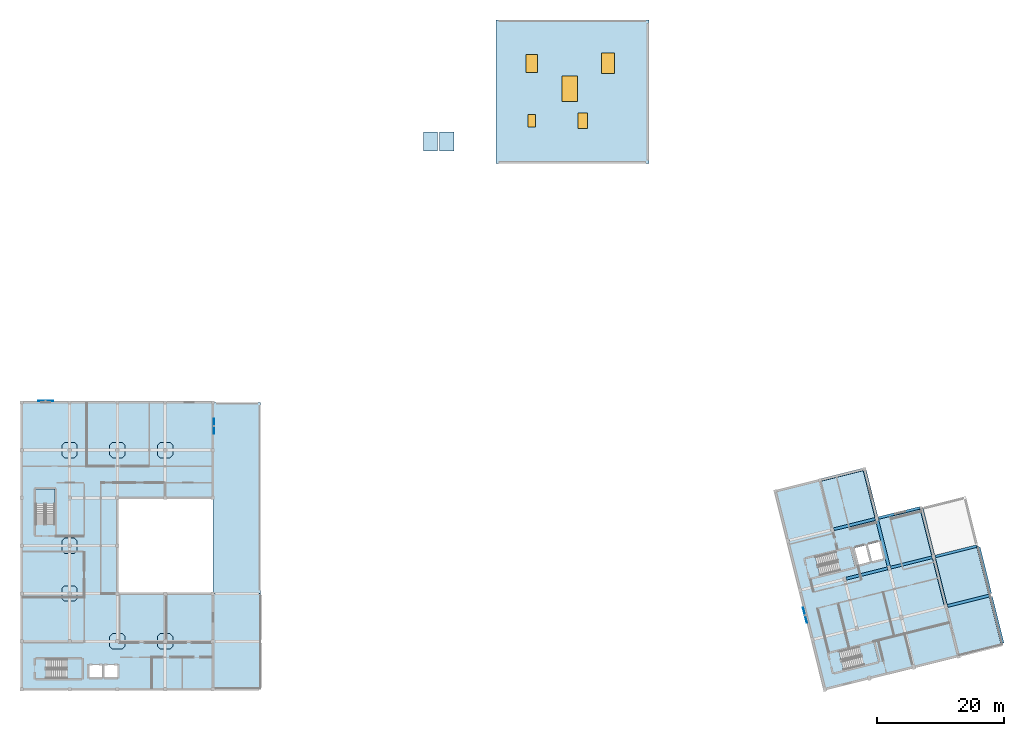
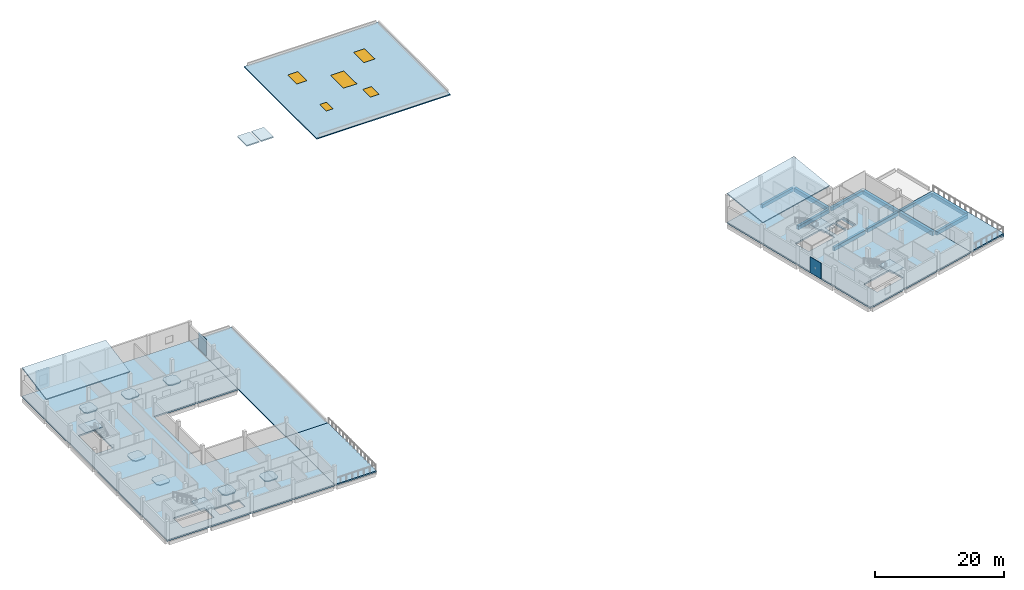
# One storey, part 2 of 14: 21 slabs, 13 beams, 5 windows, 3 plates, 5 openings, 4 elements without a shape of their own.
"""IFC4 building model written with IfcOpenShell, lengths in metres."""

from ifc_helpers import new_model, si_unit, direction, frame, origin, origin_2d, place, context, subcontext, project, spatial, polyline, rectangle, outline, extrude, material, layer, layer_set, material_profile, profile_set, type_object, element, fill, aggregate, save


model = new_model("IFC4")

# Units and contexts
model_context = context("Model", 3, precision=1e-05, world=origin(), true_north=direction((0.0, 1.0)))
body_context = subcontext(model_context, "Body", "Model", "MODEL_VIEW")
ifc_project = project(units=[si_unit("LENGTHUNIT", "METRE"), si_unit("AREAUNIT", "SQUARE_METRE"), si_unit("VOLUMEUNIT", "CUBIC_METRE"), si_unit("PLANEANGLEUNIT", "RADIAN"), si_unit("MASSUNIT", "GRAM", prefix="KILO")], contexts=[model_context])

# Site, building, storey
site_placement = place(None, origin())
site = spatial("IfcSite", under=ifc_project, at=site_placement, CompositionType="ELEMENT")
building_placement = place(site_placement, origin())
building = spatial("IfcBuilding", under=site, at=building_placement, Name="Mawjan Specialist Oncology Clinic", CompositionType="ELEMENT")
storey_placement = place(building_placement, frame((0.0, 0.0, 17.5)))
storey = spatial("IfcBuildingStorey", under=building, at=storey_placement, Name="L04", CompositionType="ELEMENT", Elevation=17.5)

# Beams
ifc_material_1 = material(Name="Concrete C40/50", Category="concrete")
ifc_material_profile_1 = material_profile(ifc_material_1, rectangle(XDim=0.449951171875, YDim=0.699951171875, at=origin_2d()), Name="RC BM 450x700", Category="concrete")
ifc_profile_set_1 = profile_set([ifc_material_profile_1], Name="Concrete C40/50")
beam_type_1 = type_object("IfcBeamType", Name="BM-450x700", PredefinedType="BEAM", material=ifc_profile_set_1)
beam_1_placement = place(storey_placement, frame((145.275390625, 13.850830078125, -0.6298828125), z_axis=(0.970294386812, 0.241927267834, 0.0), x_axis=(-0.241927267834, 0.970294386812, 0.0)))
element("IfcBeam", 1, at=beam_1_placement, inside=storey, type_object=beam_type_1, Name="L04 Collector Beam BM-L04-1135", PredefinedType="BEAM", context=body_context, shape_type="SweptSolid", body=[
    extrude(rectangle(XDim=0.449951171875, YDim=0.699951171875, at=origin_2d()), origin(), (0.0, 0.0, 1.0), 6.704833984375),
])
beam_2_placement = place(storey_placement, frame((129.36767578125, 18.12939453125, -0.6298828125), z_axis=(0.970288517742, 0.241950805615, 0.0), x_axis=(-0.241950805615, 0.970288517742, 0.0)))
element("IfcBeam", 2, at=beam_2_placement, inside=storey, type_object=beam_type_1, Name="L04 Collector Beam BM-L04-1137", PredefinedType="BEAM", context=body_context, shape_type="SweptSolid", body=[
    extrude(rectangle(XDim=0.449951171875, YDim=0.699951171875, at=origin_2d()), origin(), (0.0, 0.0, 1.0), 6.679931640625),
])
beam_3_placement = place(storey_placement, frame((136.353759765625, 19.871337890625, -0.6298828125), z_axis=(0.970299236251, 0.241907817422, 0.0), x_axis=(-0.241907817422, 0.970299236251, 0.0)))
element("IfcBeam", 3, at=beam_3_placement, inside=storey, type_object=beam_type_1, Name="L04 Collector Beam BM-L04-1138", PredefinedType="BEAM", context=body_context, shape_type="SweptSolid", body=[
    extrude(rectangle(XDim=0.449951171875, YDim=0.699951171875, at=origin_2d()), origin(), (0.0, 0.0, 1.0), 6.68017578125),
])
beam_4_placement = place(storey_placement, frame((127.432373046875, 25.891845703125, -0.6298828125), z_axis=(0.970297097401, 0.241916396252, 0.0), x_axis=(-0.241916396252, 0.970297097401, 0.0)))
element("IfcBeam", 4, at=beam_4_placement, inside=storey, type_object=beam_type_1, Name="L04 Collector Beam BM-L04-1141", PredefinedType="BEAM", context=body_context, shape_type="SweptSolid", body=[
    extrude(rectangle(XDim=0.449951171875, YDim=0.699951171875, at=origin_2d()), origin(), (0.0, 0.0, 1.0), 6.679931640625),
])
ifc_material_2 = material(Name="Concrete C45/55", Category="concrete")
ifc_material_profile_2 = material_profile(ifc_material_2, rectangle(XDim=0.5, YDim=0.800048828125, at=origin_2d()), Name="RC BM 500x800", Category="concrete")
ifc_profile_set_2 = profile_set([ifc_material_profile_2], Name="Concrete C45/55")
beam_type_2 = type_object("IfcBeamType", Name="BM-500x800", PredefinedType="BEAM", material=ifc_profile_set_2)
beam_5_placement = place(storey_placement, frame((144.960205078125, 14.0400390625, -0.679931640625), z_axis=(-0.241921192876, 0.970295901485, 0.0), x_axis=(-0.970295901485, -0.241921192876, 0.0)))
element("IfcBeam", 5, at=beam_5_placement, inside=storey, type_object=beam_type_2, Name="L04 Collector Beam BM-L04-1156", PredefinedType="BEAM", context=body_context, shape_type="SweptSolid", body=[
    extrude(rectangle(XDim=0.5, YDim=0.800048828125, at=origin_2d()), origin(), (0.0, 0.0, 1.0), 7.47998046875),
])
ifc_material_3 = material(Name="Concrete C45/55", Category="concrete")
ifc_material_profile_3 = material_profile(ifc_material_3, rectangle(XDim=0.39990234375, YDim=0.64990234375, at=origin_2d()), Name="RC BM 400x650", Category="concrete")
ifc_profile_set_3 = profile_set([ifc_material_profile_3], Name="Concrete C45/55")
beam_type_3 = type_object("IfcBeamType", Name="SP-400x650", PredefinedType="SPANDREL", material=ifc_profile_set_3)
for number, where, z_axis, x_axis, name in (
    (6, (143.33984375, 21.613037109375, -0.60498046875), (0.97028797037, 0.241953000717, 0.0), (-0.241953000717, 0.97028797037, 0.0), "L04 Spandrel Beam BM-L04-1139"),
    (7, (134.41845703125, 27.6337890625, -0.60498046875), (0.970296517902, 0.24191872054, 0.0), (-0.24191872054, 0.970296517902, 0.0), "L04 Spandrel Beam BM-L04-1142"),
):
    element("IfcBeam", number, at=place(storey_placement, frame(where, z_axis=z_axis, x_axis=x_axis)), inside=storey, type_object=beam_type_3, Name=name, PredefinedType="SPANDREL", context=body_context, shape_type="SweptSolid", body=[
        extrude(rectangle(XDim=0.39990234375, YDim=0.64990234375, at=origin_2d()), origin(), (0.0, 0.0, 1.0), 6.705078125),
    ])
beam_6_placement = place(storey_placement, frame((125.47265625, 33.648193359375, -0.60498046875), z_axis=(0.970293819569, 0.241929542854, 0.0), x_axis=(-0.241929542854, 0.970293819569, 0.0)))
element("IfcBeam", 8, at=beam_6_placement, inside=storey, type_object=beam_type_3, Name="L04 Spandrel Beam BM-L04-1144", PredefinedType="SPANDREL", context=body_context, shape_type="SweptSolid", body=[
    extrude(rectangle(XDim=0.39990234375, YDim=0.64990234375, at=origin_2d()), origin(), (0.0, 0.0, 1.0), 6.72998046875),
])
ifc_material_4 = material(Name="Concrete C45/55", Category="concrete")
ifc_material_profile_4 = material_profile(ifc_material_4, rectangle(XDim=0.5, YDim=0.699951171875, at=origin_2d()), Name="RC BM 500x700", Category="concrete")
ifc_profile_set_4 = profile_set([ifc_material_profile_4], Name="Concrete C45/55")
beam_type_4 = type_object("IfcBeamType", Name="SP-500x700", PredefinedType="SPANDREL", material=ifc_profile_set_4)
beam_7_placement = place(storey_placement, frame((136.03857421875, 20.060791015625, -0.6298828125), z_axis=(-0.241921192876, 0.970295901485, 0.0), x_axis=(-0.970295901485, -0.241921192876, 0.0)))
element("IfcBeam", 9, at=beam_7_placement, inside=storey, type_object=beam_type_4, Name="L04 Spandrel Beam BM-L04-1153", PredefinedType="SPANDREL", context=body_context, shape_type="SweptSolid", body=[
    extrude(rectangle(XDim=0.5, YDim=0.699951171875, at=origin_2d()), origin(), (0.0, 0.0, 1.0), 7.47998046875),
])
beam_8_placement = place(storey_placement, frame((134.103271484375, 27.822998046875, -0.6298828125), z_axis=(-0.24192325328, 0.970295387767, 0.0), x_axis=(-0.970295387767, -0.24192325328, 0.0)))
element("IfcBeam", 10, at=beam_8_placement, inside=storey, type_object=beam_type_4, Name="L04 Spandrel Beam BM-L04-1154", PredefinedType="SPANDREL", context=body_context, shape_type="SweptSolid", body=[
    extrude(rectangle(XDim=0.5, YDim=0.699951171875, at=origin_2d()), origin(), (0.0, 0.0, 1.0), 7.505126953125),
])
beam_9_placement = place(storey_placement, frame((143.024658203125, 21.802490234375, -0.6298828125), z_axis=(-0.241900262403, 0.970301119782, 0.0), x_axis=(-0.970301119782, -0.241900262403, 0.0)))
element("IfcBeam", 11, at=beam_9_placement, inside=storey, type_object=beam_type_4, Name="L04 Spandrel Beam BM-L04-1157", PredefinedType="SPANDREL", context=body_context, shape_type="SweptSolid", body=[
    extrude(rectangle(XDim=0.5, YDim=0.699951171875, at=origin_2d()), origin(), (0.0, 0.0, 1.0), 7.5048828125),
])
beam_10_placement = place(storey_placement, frame((153.8876953125, 7.995361328125, -0.60009765625), z_axis=(-0.241932910606, 0.97029297986, 0.0), x_axis=(-0.97029297986, -0.241932910606, 0.0)))
element("IfcBeam", 12, at=beam_10_placement, inside=storey, type_object=beam_type_4, Name="L04 Spandrel Beam BM-L04-1158", PredefinedType="SPANDREL", context=body_context, shape_type="SweptSolid", body=[
    extrude(rectangle(XDim=0.5, YDim=0.699951171875, at=origin_2d()), origin(), (0.0, 0.0, 1.0), 7.530029296875),
])
beam_11_placement = place(storey_placement, frame((151.952392578125, 15.7578125, -0.60009765625), z_axis=(-0.241940521765, 0.970291082061, 0.0), x_axis=(-0.970291082061, -0.241940521765, 0.0)))
element("IfcBeam", 13, at=beam_11_placement, inside=storey, type_object=beam_type_4, Name="L04 Spandrel Beam BM-L04-1159", PredefinedType="SPANDREL", context=body_context, shape_type="SweptSolid", body=[
    extrude(rectangle(XDim=0.5, YDim=0.699951171875, at=origin_2d()), origin(), (0.0, 0.0, 1.0), 7.52978515625),
])

# Slabs
ifc_material_5 = material(Name="Concrete C35/45", Category="concrete")
ifc_layer_1 = layer(ifc_material_5, 0.199951171875, Name="Concrete C35/45", Category="concrete")
ifc_layer_set_1 = layer_set([ifc_layer_1], Name="Concrete C35/45")
slab_type_1 = type_object("IfcSlabType", Name="DP-200", PredefinedType="FLOOR", material=ifc_layer_set_1)
slab_1_placement = place(storey_placement, frame((0.0, 0.0, -0.47998046875)))
element("IfcSlab", 14, at=slab_1_placement, inside=storey, type_object=slab_type_1, Name="L04 Octagonal Column Drop Panel DP-L04-004", PredefinedType="FLOOR", context=body_context, shape_type="SweptSolid", body=[
    extrude(outline(polyline([(6.719970703125, 14.60009765625), (8.280029296875, 14.60009765625), (8.699951171875, 15.02001953125), (8.699951171875, 16.580078125), (8.280029296875, 17.0), (6.719970703125, 17.0), (6.300048828125, 16.580078125), (6.300048828125, 15.02001953125), (6.719970703125, 14.60009765625)])), origin(), (0.0, 0.0, 1.0), 0.199951171875),
])
slab_2_placement = place(storey_placement, frame((0.0, 0.0, -0.47998046875)))
element("IfcSlab", 15, at=slab_2_placement, inside=storey, type_object=slab_type_1, Name="L04 Octagonal Column Drop Panel DP-L04-009", PredefinedType="FLOOR", context=body_context, shape_type="SweptSolid", body=[
    extrude(outline(polyline([(6.719970703125, 22.10009765625), (8.280029296875, 22.10009765625), (8.699951171875, 22.52001953125), (8.699951171875, 24.080078125), (8.280029296875, 24.5), (6.719970703125, 24.5), (6.300048828125, 24.080078125), (6.300048828125, 22.52001953125), (6.719970703125, 22.10009765625)])), origin(), (0.0, 0.0, 1.0), 0.199951171875),
])
slab_3_placement = place(storey_placement, frame((0.0, 0.0, -0.47998046875)))
element("IfcSlab", 16, at=slab_3_placement, inside=storey, type_object=slab_type_1, Name="L04 Octagonal Column Drop Panel DP-L04-014", PredefinedType="FLOOR", context=body_context, shape_type="SweptSolid", body=[
    extrude(outline(polyline([(6.719970703125, 37.10009765625), (8.280029296875, 37.10009765625), (8.699951171875, 37.52001953125), (8.699951171875, 39.080078125), (8.280029296875, 39.5), (6.719970703125, 39.5), (6.300048828125, 39.080078125), (6.300048828125, 37.52001953125), (6.719970703125, 37.10009765625)])), origin(), (0.0, 0.0, 1.0), 0.199951171875),
])
slab_4_placement = place(storey_placement, frame((0.0, 0.0, -0.47998046875)))
element("IfcSlab", 17, at=slab_4_placement, inside=storey, type_object=slab_type_1, Name="L04 Octagonal Column Drop Panel DP-L04-027", PredefinedType="FLOOR", context=body_context, shape_type="SweptSolid", body=[
    extrude(outline(polyline([(14.219970703125, 7.10009765625), (15.780029296875, 7.10009765625), (16.199951171875, 7.52001953125), (16.199951171875, 9.080078125), (15.780029296875, 9.5), (14.219970703125, 9.5), (13.800048828125, 9.080078125), (13.800048828125, 7.52001953125), (14.219970703125, 7.10009765625)])), origin(), (0.0, 0.0, 1.0), 0.199951171875),
])
slab_5_placement = place(storey_placement, frame((0.0, 0.0, -0.47998046875)))
element("IfcSlab", 18, at=slab_5_placement, inside=storey, type_object=slab_type_1, Name="L04 Octagonal Column Drop Panel DP-L04-032", PredefinedType="FLOOR", context=body_context, shape_type="SweptSolid", body=[
    extrude(outline(polyline([(14.219970703125, 37.10009765625), (15.780029296875, 37.10009765625), (16.199951171875, 37.52001953125), (16.199951171875, 39.080078125), (15.780029296875, 39.5), (14.219970703125, 39.5), (13.800048828125, 39.080078125), (13.800048828125, 37.52001953125), (14.219970703125, 37.10009765625)])), origin(), (0.0, 0.0, 1.0), 0.199951171875),
])
slab_6_placement = place(storey_placement, frame((0.0, 0.0, -0.47998046875)))
element("IfcSlab", 19, at=slab_6_placement, inside=storey, type_object=slab_type_1, Name="L04 Octagonal Column Drop Panel DP-L04-040", PredefinedType="FLOOR", context=body_context, shape_type="SweptSolid", body=[
    extrude(outline(polyline([(21.719970703125, 7.10009765625), (23.280029296875, 7.10009765625), (23.699951171875, 7.52001953125), (23.699951171875, 9.080078125), (23.280029296875, 9.5), (21.719970703125, 9.5), (21.300048828125, 9.080078125), (21.300048828125, 7.52001953125), (21.719970703125, 7.10009765625)])), origin(), (0.0, 0.0, 1.0), 0.199951171875),
])
slab_7_placement = place(storey_placement, frame((0.0, 0.0, -0.47998046875)))
element("IfcSlab", 20, at=slab_7_placement, inside=storey, type_object=slab_type_1, Name="L04 Octagonal Column Drop Panel DP-L04-045", PredefinedType="FLOOR", context=body_context, shape_type="SweptSolid", body=[
    extrude(outline(polyline([(21.719970703125, 37.10009765625), (23.280029296875, 37.10009765625), (23.699951171875, 37.52001953125), (23.699951171875, 39.080078125), (23.280029296875, 39.5), (21.719970703125, 39.5), (21.300048828125, 39.080078125), (21.300048828125, 37.52001953125), (21.719970703125, 37.10009765625)])), origin(), (0.0, 0.0, 1.0), 0.199951171875),
])
ifc_material_6 = material(Name="Concrete C35/45", Category="concrete")
ifc_layer_2 = layer(ifc_material_6, 0.280029296875, Name="Concrete C35/45", Category="concrete")
ifc_layer_set_2 = layer_set([ifc_layer_2], Name="Concrete C35/45")
slab_type_2 = type_object("IfcSlabType", Name="FS-280", PredefinedType="FLOOR", material=ifc_layer_set_2)
slab_8_placement = place(storey_placement, frame((0.0, 0.0, -0.280029296875)))
element("IfcSlab", 21, at=slab_8_placement, inside=storey, type_object=slab_type_2, Name="L04 Outpatient Consulting Courts Wing Slab SLB-V4-L04", PredefinedType="FLOOR", context=body_context, shape_type="SweptSolid", body=[
    extrude(outline(polyline([(0.0, 0.800048828125), (30.0, 0.800048828125), (30.0, 15.800048828125), (15.0, 15.800048828125), (15.0, 30.800048828125), (30.0, 30.800048828125), (30.0, 45.800048828125), (0.0, 45.800048828125), (0.0, 0.800048828125)]), holes=[polyline([(3.800048828125, 2.5), (9.39990234375, 2.5), (9.39990234375, 5.5), (3.800048828125, 5.5), (3.800048828125, 2.5)]), polyline([(10.550048828125, 2.64990234375), (12.64990234375, 2.64990234375), (12.64990234375, 4.550048828125), (10.550048828125, 4.550048828125), (10.550048828125, 2.64990234375)]), polyline([(12.949951171875, 2.64990234375), (15.050048828125, 2.64990234375), (15.050048828125, 4.550048828125), (12.949951171875, 4.550048828125), (12.949951171875, 2.64990234375)]), polyline([(5.199951171875, 26.60009765625), (5.199951171875, 32.199951171875), (2.199951171875, 32.199951171875), (2.199951171875, 26.60009765625), (5.199951171875, 26.60009765625)])]), origin(), (0.0, 0.0, 1.0), 0.280029296875),
])
ifc_material_7 = material(Name="Concrete C35/45", Category="concrete")
ifc_layer_3 = layer(ifc_material_7, 0.280029296875, Name="Concrete C35/45", Category="concrete")
ifc_layer_set_3 = layer_set([ifc_layer_3], Name="Concrete C35/45")
slab_type_3 = type_object("IfcSlabType", Name="FS-280R", PredefinedType="FLOOR", material=ifc_layer_set_3)
slab_9_placement = place(storey_placement, frame((0.0, 0.0, -0.280029296875)))
element("IfcSlab", 22, at=slab_9_placement, inside=storey, type_object=slab_type_3, Name="L04 Research and Teaching Wing Slab SLB-V6-L04", PredefinedType="FLOOR", context=body_context, shape_type="SweptSolid", body=[
    extrude(outline(polyline([(126.0, 0.800048828125), (146.95849609375, 6.025634765625), (141.15234375, 29.3125), (134.166015625, 27.57080078125), (132.230712890625, 35.333251953125), (118.258544921875, 31.849365234375), (126.0, 0.800048828125)]), holes=[polyline([(125.259521484375, 18.651123046875), (130.693115234375, 20.005859375), (129.96728515625, 22.916748046875), (124.53369140625, 21.56201171875), (125.259521484375, 18.651123046875)]), polyline([(131.28759765625, 20.30859375), (133.131103515625, 20.768310546875), (132.477783203125, 23.38818359375), (130.63427734375, 22.928466796875), (131.28759765625, 20.30859375)]), polyline([(133.422119140625, 20.8408203125), (135.265625, 21.300537109375), (134.612548828125, 23.92041015625), (132.76904296875, 23.460693359375), (133.422119140625, 20.8408203125)]), polyline([(128.9609375, 3.8056640625), (134.39453125, 5.160400390625), (133.668701171875, 8.0712890625), (128.235107421875, 6.716552734375), (128.9609375, 3.8056640625)])]), origin(), (0.0, 0.0, 1.0), 0.280029296875),
])

# Stair, slab
ifc_material_8 = material(Name="Concrete C35/45", Category="concrete")
stair_type = type_object("IfcStairType", Name="STR-CORE40", PredefinedType="HALF_TURN_STAIR", material=ifc_material_8)
stair_1_placement = place(storey_placement, origin())
stair_1 = element("IfcStair", 23, at=stair_1_placement, inside=storey, type_object=stair_type, Name="L04 Exit Stair ST-01", PredefinedType="HALF_TURN_STAIR")
ifc_material_9 = material(Name="Concrete C35/45", Category="concrete")
ifc_layer_4 = layer(ifc_material_9, 0.199951171875, Name="Concrete C35/45", Category="concrete")
ifc_layer_set_4 = layer_set([ifc_layer_4], Name="Concrete C35/45")
slab_type_4 = type_object("IfcSlabType", Name="LND-200", PredefinedType="LANDING", material=ifc_layer_set_4)
slab_10_placement = place(storey_placement, frame((0.0, 0.0, 1.800048828125)))
slab_10 = element("IfcSlab", 24, at=slab_10_placement, type_object=slab_type_4, Name="ST-01 landing 1", PredefinedType="LANDING", context=body_context, shape_type="SweptSolid", body=[
    extrude(outline(polyline([(7.0634765625, 2.452392578125), (9.4365234375, 2.452392578125), (9.4365234375, 5.547607421875), (7.0634765625, 5.547607421875), (7.0634765625, 2.452392578125)])), origin(), (0.0, 0.0, 1.0), 0.199951171875),
])
aggregate(stair_1, [slab_10])

stair_2_placement = place(storey_placement, origin())
stair_2 = element("IfcStair", 25, at=stair_2_placement, inside=storey, type_object=stair_type, Name="L04 Exit Stair ST-02", PredefinedType="HALF_TURN_STAIR")
slab_11_placement = place(storey_placement, frame((0.0, 0.0, 1.800048828125)))
slab_11 = element("IfcSlab", 26, at=slab_11_placement, type_object=slab_type_4, Name="ST-02 landing 1", PredefinedType="LANDING", context=body_context, shape_type="SweptSolid", body=[
    extrude(outline(polyline([(5.24755859375, 29.863525390625), (5.24755859375, 32.236572265625), (2.15234375, 32.236572265625), (2.15234375, 29.863525390625), (5.24755859375, 29.863525390625)])), origin(), (0.0, 0.0, 1.0), 0.199951171875),
])
aggregate(stair_2, [slab_11])

stair_3_placement = place(storey_placement, origin())
stair_3 = element("IfcStair", 27, at=stair_3_placement, inside=storey, type_object=stair_type, Name="L04 Exit Stair ST-05", PredefinedType="HALF_TURN_STAIR")
slab_12_placement = place(storey_placement, frame((0.0, 0.0, 1.800048828125)))
slab_12 = element("IfcSlab", 28, at=slab_12_placement, type_object=slab_type_4, Name="ST-05 landing 1", PredefinedType="LANDING", context=body_context, shape_type="SweptSolid", body=[
    extrude(outline(polyline([(128.4375, 19.394287109375), (130.739990234375, 19.968505859375), (129.9912109375, 22.9716796875), (127.688720703125, 22.397705078125), (128.4375, 19.394287109375)])), origin(), (0.0, 0.0, 1.0), 0.199951171875),
])
aggregate(stair_3, [slab_12])

stair_4_placement = place(storey_placement, origin())
stair_4 = element("IfcStair", 29, at=stair_4_placement, inside=storey, type_object=stair_type, Name="L04 Exit Stair ST-06", PredefinedType="HALF_TURN_STAIR")
slab_13_placement = place(storey_placement, frame((0.0, 0.0, 1.800048828125)))
slab_13 = element("IfcSlab", 30, at=slab_13_placement, type_object=slab_type_4, Name="ST-06 landing 1", PredefinedType="LANDING", context=body_context, shape_type="SweptSolid", body=[
    extrude(outline(polyline([(132.138916015625, 4.548828125), (134.44140625, 5.123046875), (133.692626953125, 8.126220703125), (131.39013671875, 7.55224609375), (132.138916015625, 4.548828125)])), origin(), (0.0, 0.0, 1.0), 0.199951171875),
])
aggregate(stair_4, [slab_13])

# Slab, openings, windows
ifc_material_10 = material(Name="Concrete C35/45", Category="concrete")
ifc_layer_5 = layer(ifc_material_10, 0.199951171875, Name="Concrete C35/45", Category="concrete")
ifc_layer_set_5 = layer_set([ifc_layer_5], Name="Concrete C35/45")
slab_type_5 = type_object("IfcSlabType", Name="RF-OVR200", PredefinedType="ROOF", material=ifc_layer_set_5)
slab_14_placement = place(storey_placement, frame((0.0, 0.0, -0.199951171875)))
slab_14 = element("IfcSlab", 31, at=slab_14_placement, inside=storey, type_object=slab_type_5, Name="Day Procedure Wing L03 East Roof Deck", PredefinedType="ROOF", context=body_context, shape_type="SweptSolid", body=[
    extrude(outline(polyline([(74.39990234375, 83.300048828125), (98.39990234375, 83.300048828125), (98.39990234375, 105.800048828125), (74.39990234375, 105.800048828125), (74.39990234375, 83.300048828125)])), origin(), (0.0, 0.0, 1.0), 0.199951171875),
])
opening_1_placement = place(slab_14_placement, frame((80.0, 90.0, 0.0)))
opening_1 = element("IfcOpeningElement", 32, at=opening_1_placement, cuts=slab_14, Name="Opening SK-05", PredefinedType="OPENING", context=body_context, shape_type="SweptSolid", body=[
    extrude(rectangle(XDim=1.199951171875, YDim=2.0, at=origin_2d()), origin(), (0.0, 0.0, 1.0), 0.199951171875),
])
opening_2_placement = place(slab_14_placement, frame((88.0, 90.0, 0.0)))
opening_2 = element("IfcOpeningElement", 33, at=opening_2_placement, cuts=slab_14, Name="Opening SK-06", PredefinedType="OPENING", context=body_context, shape_type="SweptSolid", body=[
    extrude(rectangle(XDim=1.5, YDim=2.39990234375, at=origin_2d()), origin(), (0.0, 0.0, 1.0), 0.199951171875),
])
opening_3_placement = place(slab_14_placement, frame((80.0, 99.0, 0.0)))
opening_3 = element("IfcOpeningElement", 34, at=opening_3_placement, cuts=slab_14, Name="Opening SK-07", PredefinedType="OPENING", context=body_context, shape_type="SweptSolid", body=[
    extrude(rectangle(XDim=1.800048828125, YDim=2.800048828125, at=origin_2d()), origin(), (0.0, 0.0, 1.0), 0.199951171875),
])
opening_4_placement = place(slab_14_placement, frame((92.0, 99.0, 0.0)))
opening_4 = element("IfcOpeningElement", 35, at=opening_4_placement, cuts=slab_14, Name="Opening SK-08", PredefinedType="OPENING", context=body_context, shape_type="SweptSolid", body=[
    extrude(rectangle(XDim=2.0, YDim=3.199951171875, at=origin_2d()), origin(), (0.0, 0.0, 1.0), 0.199951171875),
])
opening_5_placement = place(slab_14_placement, frame((86.0, 95.0, 0.0)))
opening_5 = element("IfcOpeningElement", 36, at=opening_5_placement, cuts=slab_14, Name="Opening SK-10", PredefinedType="OPENING", context=body_context, shape_type="SweptSolid", body=[
    extrude(rectangle(XDim=2.39990234375, YDim=4.0, at=origin_2d()), origin(), (0.0, 0.0, 1.0), 0.199951171875),
])
ifc_material_11 = material(Name="Laminated solar-control skylight assembly", Category="glass")
window_type_1 = type_object("IfcWindowType", Name="SK-05", PartitioningType="SINGLE_PANEL", PredefinedType="SKYLIGHT", material=ifc_material_11)
window_1_placement = place(opening_1_placement, frame((0.0, 0.0, 0.14990234375)))
window_1 = element("IfcWindow", 37, at=window_1_placement, inside=storey, type_object=window_type_1, Name="L04 Roof Skylight and Smoke Hatch 05", OverallHeight=2.0, OverallWidth=1.199951171875, PartitioningType="SINGLE_PANEL", PredefinedType="SKYLIGHT", context=body_context, shape_type="SweptSolid", body=[
    extrude(rectangle(XDim=1.199951171875, YDim=2.0, at=origin_2d()), origin(), (0.0, 0.0, 1.0), 0.050048828125),
])
fill(opening_1, window_1)
ifc_material_12 = material(Name="Laminated solar-control skylight assembly", Category="glass")
window_type_2 = type_object("IfcWindowType", Name="SK-06", PartitioningType="SINGLE_PANEL", PredefinedType="SKYLIGHT", material=ifc_material_12)
window_2_placement = place(opening_2_placement, frame((0.0, 0.0, 0.14990234375)))
window_2 = element("IfcWindow", 38, at=window_2_placement, inside=storey, type_object=window_type_2, Name="L04 Roof Skylight and Smoke Hatch 06", OverallHeight=2.39990234375, OverallWidth=1.5, PartitioningType="SINGLE_PANEL", PredefinedType="SKYLIGHT", context=body_context, shape_type="SweptSolid", body=[
    extrude(rectangle(XDim=1.5, YDim=2.39990234375, at=origin_2d()), origin(), (0.0, 0.0, 1.0), 0.050048828125),
])
fill(opening_2, window_2)
ifc_material_13 = material(Name="Laminated solar-control skylight assembly", Category="glass")
window_type_3 = type_object("IfcWindowType", Name="SK-07", PartitioningType="SINGLE_PANEL", PredefinedType="SKYLIGHT", material=ifc_material_13)
window_3_placement = place(opening_3_placement, frame((0.0, 0.0, 0.14990234375)))
window_3 = element("IfcWindow", 39, at=window_3_placement, inside=storey, type_object=window_type_3, Name="L04 Roof Skylight and Smoke Hatch 07", OverallHeight=2.800048828125, OverallWidth=1.800048828125, PartitioningType="SINGLE_PANEL", PredefinedType="SKYLIGHT", context=body_context, shape_type="SweptSolid", body=[
    extrude(rectangle(XDim=1.800048828125, YDim=2.800048828125, at=origin_2d()), origin(), (0.0, 0.0, 1.0), 0.050048828125),
])
fill(opening_3, window_3)
ifc_material_14 = material(Name="Laminated solar-control skylight assembly", Category="glass")
window_type_4 = type_object("IfcWindowType", Name="SK-08", PartitioningType="SINGLE_PANEL", PredefinedType="SKYLIGHT", material=ifc_material_14)
window_4_placement = place(opening_4_placement, frame((0.0, 0.0, 0.14990234375)))
window_4 = element("IfcWindow", 40, at=window_4_placement, inside=storey, type_object=window_type_4, Name="L04 Roof Skylight and Smoke Hatch 08", OverallHeight=3.199951171875, OverallWidth=2.0, PartitioningType="SINGLE_PANEL", PredefinedType="SKYLIGHT", context=body_context, shape_type="SweptSolid", body=[
    extrude(rectangle(XDim=2.0, YDim=3.199951171875, at=origin_2d()), origin(), (0.0, 0.0, 1.0), 0.050048828125),
])
fill(opening_4, window_4)
ifc_material_15 = material(Name="Laminated solar-control skylight assembly", Category="glass")
window_type_5 = type_object("IfcWindowType", Name="SK-10", PartitioningType="SINGLE_PANEL", PredefinedType="SKYLIGHT", material=ifc_material_15)
window_5_placement = place(opening_5_placement, frame((0.0, 0.0, 0.14990234375)))
window_5 = element("IfcWindow", 41, at=window_5_placement, inside=storey, type_object=window_type_5, Name="L04 Roof Skylight and Smoke Hatch 10", OverallHeight=4.0, OverallWidth=2.39990234375, PartitioningType="SINGLE_PANEL", PredefinedType="SKYLIGHT", context=body_context, shape_type="SweptSolid", body=[
    extrude(rectangle(XDim=2.39990234375, YDim=4.0, at=origin_2d()), origin(), (0.0, 0.0, 1.0), 0.050048828125),
])
fill(opening_5, window_5)

# Slabs
slab_15_placement = place(storey_placement, frame((0.0, 0.0, -0.280029296875)))
element("IfcSlab", 42, at=slab_15_placement, inside=storey, type_object=slab_type_5, Name="Outpatient L03 East Step-Back Roof Deck", PredefinedType="ROOF", context=body_context, shape_type="SweptSolid", body=[
    extrude(outline(polyline([(30.02001953125, 15.820068359375), (37.5, 15.820068359375), (37.5, 45.800048828125), (30.02001953125, 45.800048828125), (30.02001953125, 15.820068359375)])), origin(), (0.0, 0.0, 1.0), 0.199951171875),
])
slab_16_placement = place(storey_placement, frame((0.0, 0.0, 1.300048828125)))
element("IfcSlab", 43, at=slab_16_placement, inside=storey, type_object=slab_type_5, Name="Lift LF-05 Overrun Roof Slab", PredefinedType="ROOF", context=body_context, shape_type="SweptSolid", body=[
    extrude(outline(polyline([(63.010009765625, 85.2099609375), (65.22998046875, 85.2099609375), (65.22998046875, 88.18994140625), (63.010009765625, 88.18994140625), (63.010009765625, 85.2099609375)])), origin(), (0.0, 0.0, 1.0), 0.199951171875),
])
slab_17_placement = place(storey_placement, frame((0.0, 0.0, 1.300048828125)))
element("IfcSlab", 44, at=slab_17_placement, inside=storey, type_object=slab_type_5, Name="Lift LF-06 Overrun Roof Slab", PredefinedType="ROOF", context=body_context, shape_type="SweptSolid", body=[
    extrude(outline(polyline([(65.570068359375, 85.2099609375), (67.7900390625, 85.2099609375), (67.7900390625, 88.18994140625), (65.570068359375, 88.18994140625), (65.570068359375, 85.2099609375)])), origin(), (0.0, 0.0, 1.0), 0.199951171875),
])
ifc_material_16 = material(Name="Concrete C35/45", Category="concrete")
ifc_layer_6 = layer(ifc_material_16, 0.219970703125, Name="Concrete C35/45", Category="concrete")
ifc_layer_set_6 = layer_set([ifc_layer_6], Name="Concrete C35/45")
slab_type_6 = type_object("IfcSlabType", Name="RF-SLP220", PredefinedType="ROOF", material=ifc_layer_set_6)
slab_18_placement = place(storey_placement, frame((0.0, 38.320068359375, 3.949951171875), z_axis=(0.0, -0.187767620395, 0.982213480223), x_axis=(1.0, 0.0, 0.0)))
element("IfcSlab", 45, at=slab_18_placement, inside=storey, type_object=slab_type_6, Name="Outpatient Wing L04 North-West Sloped Roof", PredefinedType="ROOF", context=body_context, shape_type="SweptSolid", body=[
    extrude(outline(polyline([(0.0, 0.0), (14.97998046875, 0.0), (14.97998046875, 7.6154325096964754), (0.0, 7.6154325096964754), (0.0, 0.0)])), origin(), (0.0, 0.0, -1.0), 0.219970703125),
])
slab_19_placement = place(storey_placement, frame((120.18896484375, 24.1064453125, 3.949951171875), z_axis=(0.045267630857, -0.18155430448, 0.982338473298), x_axis=(0.97029679705, 0.241917600911, -1.888815e-06)))
element("IfcSlab", 46, at=slab_19_placement, inside=storey, type_object=slab_type_6, Name="Research Wing L04 North Step-Back Sloped Roof", PredefinedType="ROOF", context=body_context, shape_type="SweptSolid", body=[
    extrude(outline(polyline([(0.0, 0.0), (14.400141171723558, -8.881784197001252e-16), (14.400028818122863, 8.123700682756104), (6.547335148887609e-05, 8.123409958980815), (0.0, 0.0)])), origin(), (0.0, 0.0, -1.0), 0.219970703125),
])
ifc_material_17 = material(Name="Concrete C35/45", Category="concrete")
ifc_layer_7 = layer(ifc_material_17, 0.25, Name="Concrete C35/45", Category="concrete")
ifc_layer_set_7 = layer_set([ifc_layer_7], Name="Concrete C35/45")
slab_type_7 = type_object("IfcSlabType", Name="RT-250", PredefinedType="ROOF", material=ifc_layer_set_7)
slab_20_placement = place(storey_placement, frame((0.0, 0.0, -0.25)))
element("IfcSlab", 47, at=slab_20_placement, inside=storey, type_object=slab_type_7, Name="L04 Accessible Healing Terrace TER-V4-L04", PredefinedType="ROOF", context=body_context, shape_type="SweptSolid", body=[
    extrude(outline(polyline([(30.0, 0.800048828125), (37.5, 0.800048828125), (37.5, 15.800048828125), (30.0, 15.800048828125), (30.0, 0.800048828125)])), origin(), (0.0, 0.0, 1.0), 0.25),
])
ifc_material_18 = material(Name="Concrete C35/45", Category="concrete")
ifc_layer_8 = layer(ifc_material_18, 0.25, Name="Concrete C35/45", Category="concrete")
ifc_layer_set_8 = layer_set([ifc_layer_8], Name="Concrete C35/45")
slab_type_8 = type_object("IfcSlabType", Name="RT-250R", PredefinedType="ROOF", material=ifc_layer_set_8)
slab_21_placement = place(storey_placement, frame((0.0, 0.0, -0.25)))
element("IfcSlab", 48, at=slab_21_placement, inside=storey, type_object=slab_type_8, Name="L04 Accessible Healing Terrace TER-V6-L04", PredefinedType="ROOF", context=body_context, shape_type="SweptSolid", body=[
    extrude(outline(polyline([(146.95849609375, 6.025634765625), (153.944580078125, 7.767333984375), (150.07373046875, 23.2919921875), (143.087646484375, 21.55029296875), (146.95849609375, 6.025634765625)])), origin(), (0.0, 0.0, 1.0), 0.25),
])

# Plates
ifc_material_19 = material(Name="Perforated coral-toned GFRC rawshan screen", Category="stone")
ifc_layer_9 = layer(ifc_material_19, 0.06005859375, Name="Perforated coral-toned GFRC rawshan screen", Category="stone")
ifc_layer_set_9 = layer_set([ifc_layer_9], Name="Perforated coral-toned GFRC rawshan screen")
plate_type_1 = type_object("IfcPlateType", Name="RWS-60", PredefinedType="SHEET", material=ifc_layer_set_9)
plate_1_placement = place(storey_placement, frame((30.181884765625, 42.0625, 0.0), z_axis=(0.0, 0.0, 1.0), x_axis=(0.0, -1.0, 0.0)))
element("IfcPlate", 49, at=plate_1_placement, inside=storey, type_object=plate_type_1, Name="L04 Perforated Rawshan Screen Panel 012", PredefinedType="SHEET", context=body_context, shape_type="SweptSolid", body=[
    extrude(rectangle(XDim=2.39990234375, YDim=0.06005859375, at=origin_2d()), origin(), (0.0, 0.0, 1.0), 3.0849609375),
])
ifc_material_20 = material(Name="Perforated coral-toned GFRC rawshan screen", Category="stone")
ifc_layer_10 = layer(ifc_material_20, 0.074951171875, Name="Perforated coral-toned GFRC rawshan screen", Category="stone")
ifc_layer_set_10 = layer_set([ifc_layer_10], Name="Perforated coral-toned GFRC rawshan screen")
plate_type_2 = type_object("IfcPlateType", Name="RWS-75", PredefinedType="SHEET", material=ifc_layer_set_10)
plate_2_placement = place(storey_placement, frame((122.9130859375, 12.397705078125, 0.0), z_axis=(0.0, 0.0, 1.0), x_axis=(-0.2419218956, 0.970295726276, 0.0)))
element("IfcPlate", 50, at=plate_2_placement, inside=storey, type_object=plate_type_2, Name="L04 Perforated Rawshan Screen Panel 011", PredefinedType="SHEET", context=body_context, shape_type="SweptSolid", body=[
    extrude(rectangle(XDim=2.39990234375, YDim=0.074951171875, at=origin_2d()), origin(), (0.0, 0.0, 1.0), 3.0048828125),
])
plate_3_placement = place(storey_placement, frame((3.75, 45.989501953125, 0.0), z_axis=(0.0, 0.0, 1.0), x_axis=(1.0, 0.0, 0.0)))
element("IfcPlate", 51, at=plate_3_placement, inside=storey, type_object=plate_type_2, Name="L04 Perforated Rawshan Screen Panel 013", PredefinedType="SHEET", context=body_context, shape_type="SweptSolid", body=[
    extrude(rectangle(XDim=2.39990234375, YDim=0.074951171875, at=origin_2d()), origin(), (0.0, 0.0, 1.0), 3.68994140625),
])

save(model, "model.ifc")
